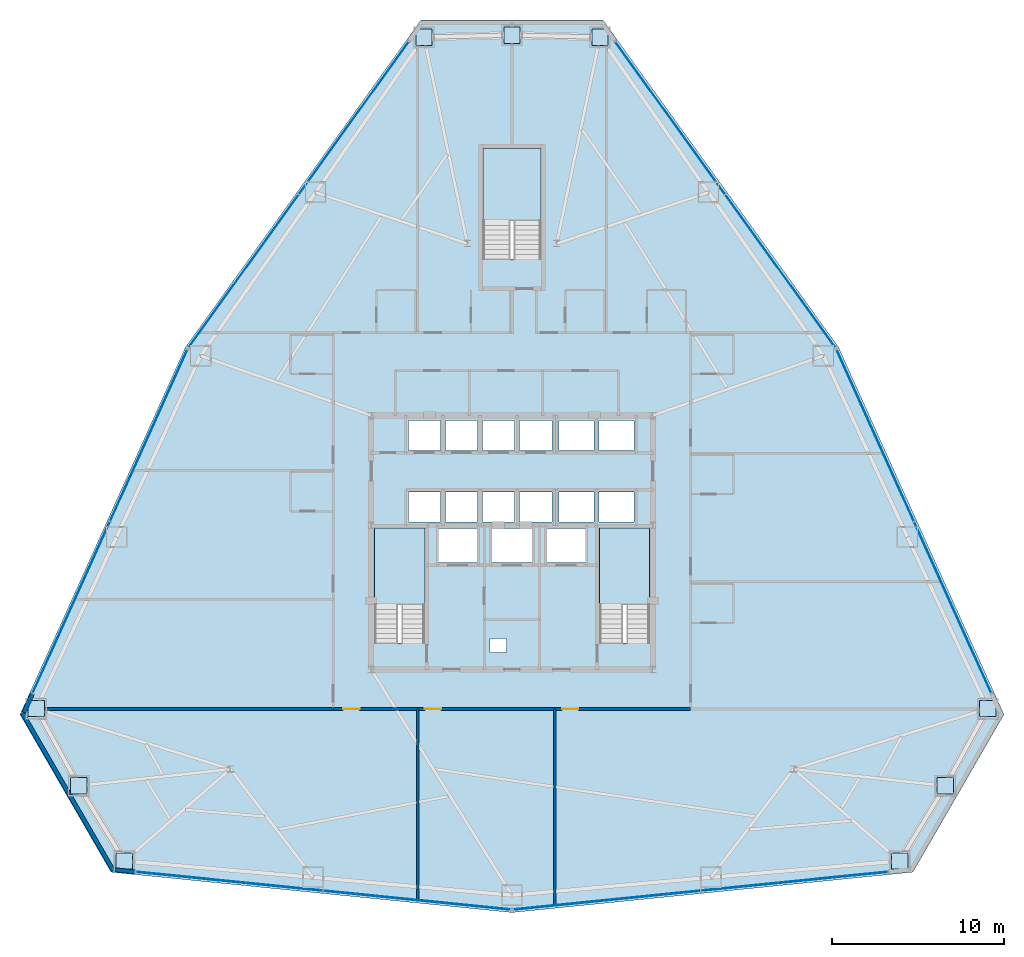
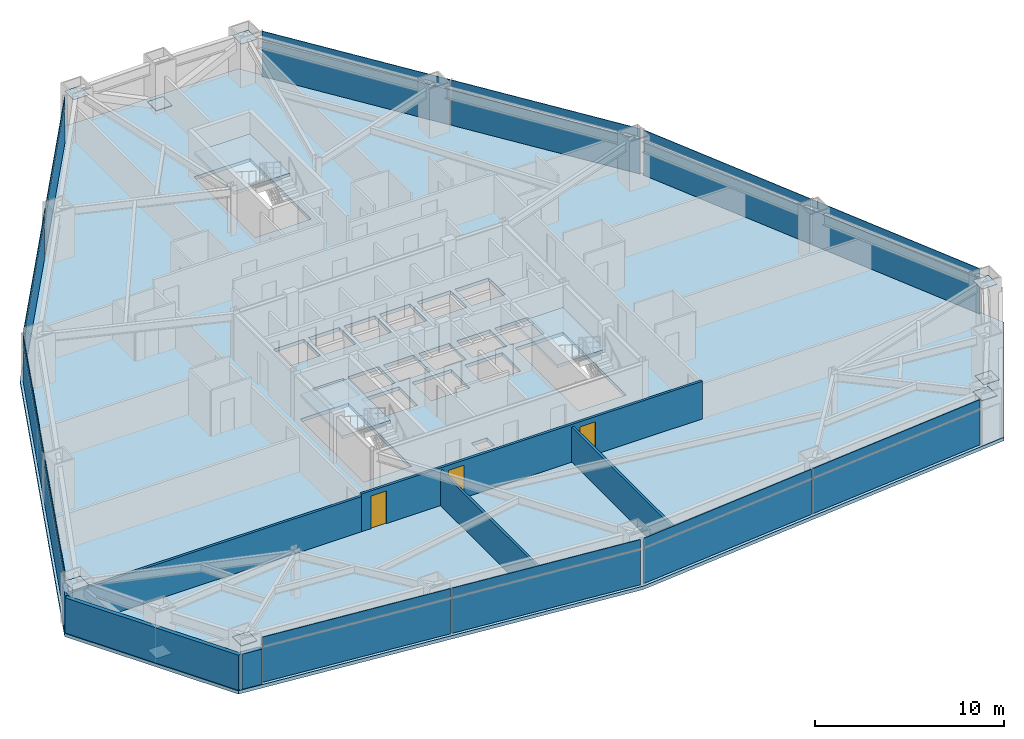
# One storey, part 8 of 12: 33 plates, 7 walls, 4 slabs, 3 doors, 3 openings, 9 elements without a shape of their own.
"""IFC4 building model written with IfcOpenShell, lengths in metres."""

from ifc_helpers import new_model, si_unit, direction, frame, frame_2d, origin, origin_2d, place, context, subcontext, project, spatial, polyline, rectangle, outline, extrude, source, transform, mapped, material, layer, layer_set, type_object, type_shapes, element, fill, aggregate, save


model = new_model("IFC4")

# Units and contexts
model_context = context("Model", 3, precision=1e-05, world=origin(), true_north=direction((0.0, 1.0)))
body_context = subcontext(model_context, "Body", "Model", "MODEL_VIEW")
ifc_project = project(units=[si_unit("LENGTHUNIT", "METRE"), si_unit("AREAUNIT", "SQUARE_METRE"), si_unit("VOLUMEUNIT", "CUBIC_METRE"), si_unit("PLANEANGLEUNIT", "RADIAN"), si_unit("MASSUNIT", "GRAM", prefix="KILO")], contexts=[model_context])

# Site, building, storey
site_placement = place(None, origin())
site = spatial("IfcSite", under=ifc_project, at=site_placement, CompositionType="ELEMENT")
building_placement = place(site_placement, origin())
building = spatial("IfcBuilding", under=site, at=building_placement, Name="Varakhsha Concourse Tower", CompositionType="ELEMENT")
storey_placement = place(building_placement, frame((0.0, 0.0, 30.39990234375)))
storey = spatial("IfcBuildingStorey", under=building, at=storey_placement, Name="L07", CompositionType="ELEMENT", Elevation=30.39990234375)

# Slab
ifc_material_1 = material(Name="Concrete fc 45 MPa", Category="concrete")
ifc_layer_1 = layer(ifc_material_1, 0.219970703125, Name="SL-FLR-220")
ifc_layer_set_1 = layer_set([ifc_layer_1], Name="Concrete fc 45 MPa")
slab_type_1 = type_object("IfcSlabType", Name="SL-FLR-220", PredefinedType="FLOOR", material=ifc_layer_set_1)
slab_1_placement = place(storey_placement, frame((0.0, 0.0, -0.219970703125)))
element("IfcSlab", 1, at=slab_1_placement, inside=storey, type_object=slab_type_1, Name="L07 Composite Structural Slab", PredefinedType="FLOOR", context=body_context, shape_type="SweptSolid", body=[
    extrude(outline(polyline([(45.300048828125, 54.22021484375), (34.699951171875, 54.22021484375), (20.989013671875, 35.176025390625), (11.351806640625, 13.77978515625), (16.65185546875, 4.60009765625), (40.0, 2.248046875), (63.34814453125, 4.60009765625), (68.648193359375, 13.77978515625), (59.010986328125, 35.176025390625), (45.300048828125, 54.22021484375)]), holes=[polyline([(34.919921875, 17.93994140625), (34.919921875, 24.6298828125), (32.0, 24.6298828125), (32.0, 17.93994140625), (34.919921875, 17.93994140625)]), polyline([(48.02001953125, 17.93994140625), (48.02001953125, 24.6298828125), (45.10009765625, 24.6298828125), (45.10009765625, 17.93994140625), (48.02001953125, 17.93994140625)]), polyline([(41.699951171875, 40.300048828125), (41.699951171875, 46.75), (38.300048828125, 46.75), (38.300048828125, 40.300048828125), (41.699951171875, 40.300048828125)]), polyline([(33.9599609375, 29.159912109375), (35.840087890625, 29.159912109375), (35.840087890625, 30.89990234375), (33.9599609375, 30.89990234375), (33.9599609375, 29.159912109375)]), polyline([(36.1201171875, 29.159912109375), (38.0, 29.159912109375), (38.0, 30.89990234375), (36.1201171875, 30.89990234375), (36.1201171875, 29.159912109375)]), polyline([(38.280029296875, 29.159912109375), (40.159912109375, 29.159912109375), (40.159912109375, 30.89990234375), (38.280029296875, 30.89990234375), (38.280029296875, 29.159912109375)]), polyline([(40.43994140625, 29.159912109375), (42.320068359375, 29.159912109375), (42.320068359375, 30.89990234375), (40.43994140625, 30.89990234375), (40.43994140625, 29.159912109375)]), polyline([(33.9599609375, 25.0), (35.840087890625, 25.0), (35.840087890625, 26.739990234375), (33.9599609375, 26.739990234375), (33.9599609375, 25.0)]), polyline([(36.1201171875, 25.0), (38.0, 25.0), (38.0, 26.739990234375), (36.1201171875, 26.739990234375), (36.1201171875, 25.0)]), polyline([(38.280029296875, 25.0), (40.159912109375, 25.0), (40.159912109375, 26.739990234375), (38.280029296875, 26.739990234375), (38.280029296875, 25.0)]), polyline([(40.43994140625, 25.0), (42.320068359375, 25.0), (42.320068359375, 26.739990234375), (40.43994140625, 26.739990234375), (40.43994140625, 25.0)]), polyline([(42.739990234375, 29.159912109375), (44.780029296875, 29.159912109375), (44.780029296875, 30.89990234375), (42.739990234375, 30.89990234375), (42.739990234375, 29.159912109375)]), polyline([(45.06005859375, 29.159912109375), (47.10009765625, 29.159912109375), (47.10009765625, 30.89990234375), (45.06005859375, 30.89990234375), (45.06005859375, 29.159912109375)]), polyline([(42.739990234375, 25.0), (44.780029296875, 25.0), (44.780029296875, 26.739990234375), (42.739990234375, 26.739990234375), (42.739990234375, 25.0)]), polyline([(45.06005859375, 25.0), (47.10009765625, 25.0), (47.10009765625, 26.739990234375), (45.06005859375, 26.739990234375), (45.06005859375, 25.0)]), polyline([(35.7099609375, 22.639892578125), (37.989990234375, 22.639892578125), (37.989990234375, 24.60009765625), (35.7099609375, 24.60009765625), (35.7099609375, 22.639892578125)]), polyline([(42.010009765625, 22.639892578125), (44.2900390625, 22.639892578125), (44.2900390625, 24.60009765625), (42.010009765625, 24.60009765625), (42.010009765625, 22.639892578125)]), polyline([(38.81005859375, 22.639892578125), (41.18994140625, 22.639892578125), (41.18994140625, 24.60009765625), (38.81005859375, 24.60009765625), (38.81005859375, 22.639892578125)]), polyline([(38.719970703125, 17.39990234375), (39.679931640625, 17.39990234375), (39.679931640625, 18.199951171875), (38.719970703125, 18.199951171875), (38.719970703125, 17.39990234375)])]), origin(), (0.0, 0.0, 1.0), 0.219970703125),
])

# Stair, slab
stair_type_1 = type_object("IfcStairType", Name="ST-DOGLEG-1360", PredefinedType="HALF_TURN_STAIR", material=ifc_material_1)
stair_1_placement = place(storey_placement, origin())
stair_1 = element("IfcStair", 2, at=stair_1_placement, inside=storey, type_object=stair_type_1, Name="L07 Protected Exit Stair ST1", PredefinedType="HALF_TURN_STAIR")
ifc_layer_2 = layer(ifc_material_1, 0.199951171875, Name="SL-LAND-200")
ifc_layer_set_2 = layer_set([ifc_layer_2], Name="Concrete fc 45 MPa")
slab_type_2 = type_object("IfcSlabType", Name="SL-LAND-200", PredefinedType="LANDING", material=ifc_layer_set_2)
slab_2_placement = place(storey_placement, frame((0.0, 0.0, 1.400146484375)))
slab_2 = element("IfcSlab", 3, at=slab_2_placement, type_object=slab_type_2, Name="ST1 landing 1", PredefinedType="LANDING", context=body_context, shape_type="SweptSolid", body=[
    extrude(outline(polyline([(34.919921875, 20.179931640625), (34.919921875, 24.6298828125), (32.0, 24.6298828125), (32.0, 20.179931640625), (34.919921875, 20.179931640625)])), origin(), (0.0, 0.0, 1.0), 0.199951171875),
])
aggregate(stair_1, [slab_2])

stair_2_placement = place(storey_placement, origin())
stair_2 = element("IfcStair", 4, at=stair_2_placement, inside=storey, type_object=stair_type_1, Name="L07 Protected Exit Stair ST2", PredefinedType="HALF_TURN_STAIR")
slab_3_placement = place(storey_placement, frame((0.0, 0.0, 1.400146484375)))
slab_3 = element("IfcSlab", 5, at=slab_3_placement, type_object=slab_type_2, Name="ST2 landing 1", PredefinedType="LANDING", context=body_context, shape_type="SweptSolid", body=[
    extrude(outline(polyline([(48.02001953125, 20.179931640625), (48.02001953125, 24.6298828125), (45.10009765625, 24.6298828125), (45.10009765625, 20.179931640625), (48.02001953125, 20.179931640625)])), origin(), (0.0, 0.0, 1.0), 0.199951171875),
])
aggregate(stair_2, [slab_3])

stair_type_2 = type_object("IfcStairType", Name="ST-DOGLEG-1600", PredefinedType="HALF_TURN_STAIR", material=ifc_material_1)
stair_3_placement = place(storey_placement, origin())
stair_3 = element("IfcStair", 6, at=stair_3_placement, inside=storey, type_object=stair_type_2, Name="L07 Protected Exit Stair ST5", PredefinedType="HALF_TURN_STAIR")
slab_4_placement = place(storey_placement, frame((0.0, 0.0, 1.400146484375)))
slab_4 = element("IfcSlab", 7, at=slab_4_placement, type_object=slab_type_2, Name="ST5 landing 1", PredefinedType="LANDING", context=body_context, shape_type="SweptSolid", body=[
    extrude(outline(polyline([(41.699951171875, 42.5400390625), (41.699951171875, 46.75), (38.300048828125, 46.75), (38.300048828125, 42.5400390625), (41.699951171875, 42.5400390625)])), origin(), (0.0, 0.0, 1.0), 0.199951171875),
])
aggregate(stair_3, [slab_4])

# Plates
ifc_material_2 = material(Name="Structural Steel ASTM A572 Grade 50", Category="steel")
ifc_layer_3 = layer(ifc_material_2, 0.030029296875, Name="PL-ENDCAP-950")
ifc_layer_set_3 = layer_set([ifc_layer_3], Name="Structural Steel ASTM A572 Grade 50")
plate_type_1 = type_object("IfcPlateType", Name="PL-ENDCAP-950", PredefinedType="USERDEFINED", material=ifc_layer_set_3)
shared_shape_1 = source(origin(), body_context, "Body", "SweptSolid", [
    extrude(rectangle(XDim=0.949951171875, YDim=0.949951171875, at=origin_2d()), origin(), (0.0, 0.0, 1.0), 0.030029296875),
])
type_shapes(plate_type_1, [shared_shape_1])
for number, where, z_axis, x_axis, name in (
    (8, (40.0, 53.340087890625, 0.10498046875), (0.0, 0.0, 1.0), (1.0, 0.0, 0.0), "Hollow Section End Cap GP-NODE-L07-0022"),
    (9, (45.1240234375, 53.223388671875, 2.6650390625), (0.0, 0.0, 1.0), (1.0, 0.0, 0.0), "Hollow Section End Cap GP-NODE-L07-0023"),
    (10, (34.8759765625, 53.223388671875, 2.6650390625), (0.0, 0.0, 1.0), (1.0, 0.0, 0.0), "Hollow Section End Cap GP-NODE-L07-0024"),
    (11, (14.763916015625, 9.6298828125, 0.10498046875), (0.0, 0.0, 1.0), (1.0, 0.0, 0.0), "Hollow Section End Cap GP-NODE-L07-0025"),
    (12, (12.302734375, 14.125732421875, 2.6650390625), (0.0, 0.0, 1.0), (1.0, 0.0, 0.0), "Hollow Section End Cap GP-NODE-L07-0026"),
    (13, (17.427001953125, 5.250732421875, 2.6650390625), (0.0, 0.0, 1.0), (1.0, 0.0, 0.0), "Hollow Section End Cap GP-NODE-L07-0027"),
    (14, (65.236083984375, 9.6298828125, 0.10498046875), (0.0, 0.0, 1.0), (1.0, 0.0, 0.0), "Hollow Section End Cap GP-NODE-L07-0028"),
    (15, (62.572998046875, 5.250732421875, 2.6650390625), (0.0, 0.0, 1.0), (1.0, 0.0, 0.0), "Hollow Section End Cap GP-NODE-L07-0029"),
    (16, (67.697265625, 14.125732421875, 2.6650390625), (0.0, 0.0, 1.0), (1.0, 0.0, 0.0), "Hollow Section End Cap GP-NODE-L07-0030"),
):
    element("IfcPlate", number, at=place(storey_placement, frame(where, z_axis=z_axis, x_axis=x_axis)), inside=storey, type_object=plate_type_1, Name=name, ObjectType="END PLATE", PredefinedType="USERDEFINED", context=body_context, shape_type="MappedRepresentation", body=[
        mapped(shared_shape_1, transform((0.0, 0.0, 0.0), scale=1.0)),
    ])

# Curtain wall, plates
ifc_material_3 = material(Name="Anodised Bronze Architectural Aluminium AA 6063-T6", Category="aluminium")
ifc_layer_4 = layer(ifc_material_3, 0.219970703125, Name="CW-SYS-02")
ifc_layer_set_4 = layer_set([ifc_layer_4], Name="Anodised Bronze Architectural Aluminium AA 6063-T6")
curtain_wall_type = type_object("IfcCurtainWallType", Name="CW-SYS-02", PredefinedType="NOTDEFINED", material=ifc_layer_set_4)
curtain_wall_1_placement = place(storey_placement, origin())
curtain_wall_1 = element("IfcCurtainWall", 17, at=curtain_wall_1_placement, inside=storey, type_object=curtain_wall_type, Name="L07 Crystal Curtain Wall F2", PredefinedType="NOTDEFINED")
ifc_material_4 = material(Name="Low-E Triple Insulating Glass IGU 44 mm", Category="glass")
ifc_layer_5 = layer(ifc_material_4, 0.0439453125, Name="CWP-IGU-44")
ifc_layer_set_5 = layer_set([ifc_layer_5], Name="Low-E Triple Insulating Glass IGU 44 mm")
plate_type_2 = type_object("IfcPlateType", Name="CWP-IGU-44", PredefinedType="CURTAIN_PANEL", material=ifc_layer_set_5)
shared_shape_2 = source(origin(), body_context, "Body", "SweptSolid", [
    extrude(rectangle(XDim=10.904296875, YDim=0.0439453125, at=origin_2d()), origin(), (0.0, 0.0, 1.0), 2.260986328125),
])
plate_1_placement = place(storey_placement, frame((24.374267578125, 39.60400390625, 0.03466796875), z_axis=(0.0, 0.0, 1.0), x_axis=(0.584283660256, 0.81154950826, 0.0)))
plate_1 = element("IfcPlate", 18, at=plate_1_placement, type_object=plate_type_2, Name="CW-L07-F2 Panel 00-00", PredefinedType="CURTAIN_PANEL", context=body_context, shape_type="MappedRepresentation", body=[
    mapped(shared_shape_2, transform((0.0, 0.0, 0.0), scale=1.0)),
])
plate_2_placement = place(storey_placement, frame((30.79150390625, 48.517578125, 0.03466796875), z_axis=(0.0, 0.0, 1.0), x_axis=(0.584283660256, 0.81154950826, 0.0)))
plate_2 = element("IfcPlate", 19, at=plate_2_placement, type_object=plate_type_2, Name="CW-L07-F2 Panel 01-00", PredefinedType="CURTAIN_PANEL", context=body_context, shape_type="MappedRepresentation", body=[
    mapped(shared_shape_2, transform((0.0, 0.0, 0.0), scale=1.0)),
])

# Curtain wall, plate
curtain_wall_2_placement = place(storey_placement, origin())
curtain_wall_2 = element("IfcCurtainWall", 20, at=curtain_wall_2_placement, inside=storey, type_object=curtain_wall_type, Name="L07 Crystal Curtain Wall F3", PredefinedType="NOTDEFINED")
plate_3_placement = place(storey_placement, frame((14.336181640625, 20.01611328125, 0.03466796875), z_axis=(0.0, 0.0, 1.0), x_axis=(0.410683843161, 0.911777813377, 0.0)))
plate_3 = element("IfcPlate", 21, at=plate_3_placement, type_object=plate_type_2, Name="CW-L07-F3 Panel 00-00", PredefinedType="CURTAIN_PANEL", context=body_context, shape_type="MappedRepresentation", body=[
    mapped(shared_shape_2, transform((0.0, 0.0, 0.0), scale=1.0)),
])

curtain_wall_3_placement = place(storey_placement, origin())
curtain_wall_3 = element("IfcCurtainWall", 22, at=curtain_wall_3_placement, inside=storey, type_object=curtain_wall_type, Name="L07 Crystal Curtain Wall F5", PredefinedType="NOTDEFINED")
plate_4_placement = place(storey_placement, frame((34.472412109375, 2.965576171875, 0.03466796875), z_axis=(0.0, 0.0, 1.0), x_axis=(-0.994964670572, 0.100226265587, 0.0)))
plate_4 = element("IfcPlate", 23, at=plate_4_placement, type_object=plate_type_2, Name="CW-L07-F5 Panel 00-00", PredefinedType="CURTAIN_PANEL", context=body_context, shape_type="MappedRepresentation", body=[
    mapped(shared_shape_2, transform((0.0, 0.0, 0.0), scale=1.0)),
])

curtain_wall_4_placement = place(storey_placement, origin())
curtain_wall_4 = element("IfcCurtainWall", 24, at=curtain_wall_4_placement, inside=storey, type_object=curtain_wall_type, Name="L07 Crystal Curtain Wall F6", PredefinedType="NOTDEFINED")
plate_5_placement = place(storey_placement, frame((56.455322265625, 4.06640625, 0.03466796875), z_axis=(0.0, 0.0, 1.0), x_axis=(-0.994964670572, -0.100226265587, 0.0)))
plate_5 = element("IfcPlate", 25, at=plate_5_placement, type_object=plate_type_2, Name="CW-L07-F6 Panel 00-00", PredefinedType="CURTAIN_PANEL", context=body_context, shape_type="MappedRepresentation", body=[
    mapped(shared_shape_2, transform((0.0, 0.0, 0.0), scale=1.0)),
])

curtain_wall_5_placement = place(storey_placement, origin())
curtain_wall_5 = element("IfcCurtainWall", 26, at=curtain_wall_5_placement, inside=storey, type_object=curtain_wall_type, Name="L07 Crystal Curtain Wall F8", PredefinedType="NOTDEFINED")
plate_6_placement = place(storey_placement, frame((61.1533203125, 30.0302734375, 0.03466796875), z_axis=(0.0, 0.0, 1.0), x_axis=(0.410683843161, -0.911777813377, 0.0)))
plate_6 = element("IfcPlate", 27, at=plate_6_placement, type_object=plate_type_2, Name="CW-L07-F8 Panel 00-00", PredefinedType="CURTAIN_PANEL", context=body_context, shape_type="MappedRepresentation", body=[
    mapped(shared_shape_2, transform((0.0, 0.0, 0.0), scale=1.0)),
])

# Curtain wall, plates
curtain_wall_6_placement = place(storey_placement, origin())
curtain_wall_6 = element("IfcCurtainWall", 28, at=curtain_wall_6_placement, inside=storey, type_object=curtain_wall_type, Name="L07 Crystal Curtain Wall F9", PredefinedType="NOTDEFINED")
plate_7_placement = place(storey_placement, frame((49.20849609375, 48.517578125, 0.03466796875), z_axis=(0.0, 0.0, 1.0), x_axis=(0.584283660256, -0.81154950826, 0.0)))
plate_7 = element("IfcPlate", 29, at=plate_7_placement, type_object=plate_type_2, Name="CW-L07-F9 Panel 00-00", PredefinedType="CURTAIN_PANEL", context=body_context, shape_type="MappedRepresentation", body=[
    mapped(shared_shape_2, transform((0.0, 0.0, 0.0), scale=1.0)),
])
plate_8_placement = place(storey_placement, frame((55.625732421875, 39.60400390625, 0.03466796875), z_axis=(0.0, 0.0, 1.0), x_axis=(0.584283660256, -0.81154950826, 0.0)))
plate_8 = element("IfcPlate", 30, at=plate_8_placement, type_object=plate_type_2, Name="CW-L07-F9 Panel 01-00", PredefinedType="CURTAIN_PANEL", context=body_context, shape_type="MappedRepresentation", body=[
    mapped(shared_shape_2, transform((0.0, 0.0, 0.0), scale=1.0)),
])

# Plate
ifc_material_5 = material(Name="Glazed Turquoise-Bronze Ceramic Spandrel Panel 38 mm", Category="ceramic")
ifc_layer_6 = layer(ifc_material_5, 0.0380859375, Name="CWP-SPN-38")
ifc_layer_set_6 = layer_set([ifc_layer_6], Name="Glazed Turquoise-Bronze Ceramic Spandrel Panel 38 mm")
plate_type_3 = type_object("IfcPlateType", Name="CWP-SPN-38", PredefinedType="USERDEFINED", material=ifc_layer_set_6)
shared_shape_3 = source(origin(), body_context, "Body", "SweptSolid", [
    extrude(rectangle(XDim=10.904296875, YDim=0.0380859375, at=origin_2d()), origin(), (0.0, 0.0, 1.0), 0.5810546875),
])
plate_9_placement = place(storey_placement, frame((24.374267578125, 39.60400390625, 2.364501953125), z_axis=(0.0, 0.0, 1.0), x_axis=(0.584283660256, 0.81154950826, 0.0)))
plate_9 = element("IfcPlate", 31, at=plate_9_placement, type_object=plate_type_3, Name="CW-L07-F2 Panel 00-01", ObjectType="SPANDREL", PredefinedType="USERDEFINED", context=body_context, shape_type="MappedRepresentation", body=[
    mapped(shared_shape_3, transform((0.0, 0.0, 0.0), scale=1.0)),
])

plate_10_placement = place(storey_placement, frame((30.79150390625, 48.517578125, 2.364501953125), z_axis=(0.0, 0.0, 1.0), x_axis=(0.584283660256, 0.81154950826, 0.0)))
plate_10 = element("IfcPlate", 32, at=plate_10_placement, type_object=plate_type_3, Name="CW-L07-F2 Panel 01-01", ObjectType="SPANDREL", PredefinedType="USERDEFINED", context=body_context, shape_type="MappedRepresentation", body=[
    mapped(shared_shape_3, transform((0.0, 0.0, 0.0), scale=1.0)),
])

aggregate(curtain_wall_1, [plate_1, plate_9, plate_2, plate_10])

plate_11_placement = place(storey_placement, frame((14.336181640625, 20.01611328125, 2.364501953125), z_axis=(0.0, 0.0, 1.0), x_axis=(0.410683843161, 0.911777813377, 0.0)))
plate_11 = element("IfcPlate", 33, at=plate_11_placement, type_object=plate_type_3, Name="CW-L07-F3 Panel 00-01", ObjectType="SPANDREL", PredefinedType="USERDEFINED", context=body_context, shape_type="MappedRepresentation", body=[
    mapped(shared_shape_3, transform((0.0, 0.0, 0.0), scale=1.0)),
])

plate_12_placement = place(storey_placement, frame((34.472412109375, 2.965576171875, 2.364501953125), z_axis=(0.0, 0.0, 1.0), x_axis=(-0.994964670572, 0.100226265587, 0.0)))
plate_12 = element("IfcPlate", 34, at=plate_12_placement, type_object=plate_type_3, Name="CW-L07-F5 Panel 00-01", ObjectType="SPANDREL", PredefinedType="USERDEFINED", context=body_context, shape_type="MappedRepresentation", body=[
    mapped(shared_shape_3, transform((0.0, 0.0, 0.0), scale=1.0)),
])

plate_13_placement = place(storey_placement, frame((56.455322265625, 4.06640625, 2.364501953125), z_axis=(0.0, 0.0, 1.0), x_axis=(-0.994964670572, -0.100226265587, 0.0)))
plate_13 = element("IfcPlate", 35, at=plate_13_placement, type_object=plate_type_3, Name="CW-L07-F6 Panel 00-01", ObjectType="SPANDREL", PredefinedType="USERDEFINED", context=body_context, shape_type="MappedRepresentation", body=[
    mapped(shared_shape_3, transform((0.0, 0.0, 0.0), scale=1.0)),
])

plate_14_placement = place(storey_placement, frame((61.1533203125, 30.0302734375, 2.364501953125), z_axis=(0.0, 0.0, 1.0), x_axis=(0.410683843161, -0.911777813377, 0.0)))
plate_14 = element("IfcPlate", 36, at=plate_14_placement, type_object=plate_type_3, Name="CW-L07-F8 Panel 00-01", ObjectType="SPANDREL", PredefinedType="USERDEFINED", context=body_context, shape_type="MappedRepresentation", body=[
    mapped(shared_shape_3, transform((0.0, 0.0, 0.0), scale=1.0)),
])

plate_15_placement = place(storey_placement, frame((49.20849609375, 48.517578125, 2.364501953125), z_axis=(0.0, 0.0, 1.0), x_axis=(0.584283660256, -0.81154950826, 0.0)))
plate_15 = element("IfcPlate", 37, at=plate_15_placement, type_object=plate_type_3, Name="CW-L07-F9 Panel 00-01", ObjectType="SPANDREL", PredefinedType="USERDEFINED", context=body_context, shape_type="MappedRepresentation", body=[
    mapped(shared_shape_3, transform((0.0, 0.0, 0.0), scale=1.0)),
])

plate_16_placement = place(storey_placement, frame((55.625732421875, 39.60400390625, 2.364501953125), z_axis=(0.0, 0.0, 1.0), x_axis=(0.584283660256, -0.81154950826, 0.0)))
plate_16 = element("IfcPlate", 38, at=plate_16_placement, type_object=plate_type_3, Name="CW-L07-F9 Panel 01-01", ObjectType="SPANDREL", PredefinedType="USERDEFINED", context=body_context, shape_type="MappedRepresentation", body=[
    mapped(shared_shape_3, transform((0.0, 0.0, 0.0), scale=1.0)),
])

aggregate(curtain_wall_6, [plate_7, plate_15, plate_8, plate_16])

shared_shape_4 = source(origin(), body_context, "Body", "SweptSolid", [
    extrude(rectangle(XDim=10.904052734375, YDim=0.0439453125, at=origin_2d()), origin(), (0.0, 0.0, 1.0), 2.260986328125),
])
type_shapes(plate_type_2, [shared_shape_2, shared_shape_4])
plate_17_placement = place(storey_placement, frame((18.8466796875, 30.0302734375, 0.03466796875), z_axis=(0.0, 0.0, 1.0), x_axis=(0.410683843161, 0.911777813377, 0.0)))
plate_17 = element("IfcPlate", 39, at=plate_17_placement, type_object=plate_type_2, Name="CW-L07-F3 Panel 01-00", PredefinedType="CURTAIN_PANEL", context=body_context, shape_type="MappedRepresentation", body=[
    mapped(shared_shape_4, transform((0.0, 0.0, 0.0), scale=1.0)),
])

plate_18_placement = place(storey_placement, frame((23.544677734375, 4.06640625, 0.03466796875), z_axis=(0.0, 0.0, 1.0), x_axis=(-0.994964670572, 0.100226265587, 0.0)))
plate_18 = element("IfcPlate", 40, at=plate_18_placement, type_object=plate_type_2, Name="CW-L07-F5 Panel 01-00", PredefinedType="CURTAIN_PANEL", context=body_context, shape_type="MappedRepresentation", body=[
    mapped(shared_shape_4, transform((0.0, 0.0, 0.0), scale=1.0)),
])

plate_19_placement = place(storey_placement, frame((45.527587890625, 2.965576171875, 0.03466796875), z_axis=(0.0, 0.0, 1.0), x_axis=(-0.994964670572, -0.100226265587, 0.0)))
plate_19 = element("IfcPlate", 41, at=plate_19_placement, type_object=plate_type_2, Name="CW-L07-F6 Panel 01-00", PredefinedType="CURTAIN_PANEL", context=body_context, shape_type="MappedRepresentation", body=[
    mapped(shared_shape_4, transform((0.0, 0.0, 0.0), scale=1.0)),
])

plate_20_placement = place(storey_placement, frame((65.663818359375, 20.01611328125, 0.03466796875), z_axis=(0.0, 0.0, 1.0), x_axis=(0.410683843161, -0.911777813377, 0.0)))
plate_20 = element("IfcPlate", 42, at=plate_20_placement, type_object=plate_type_2, Name="CW-L07-F8 Panel 01-00", PredefinedType="CURTAIN_PANEL", context=body_context, shape_type="MappedRepresentation", body=[
    mapped(shared_shape_4, transform((0.0, 0.0, 0.0), scale=1.0)),
])

shared_shape_5 = source(origin(), body_context, "Body", "SweptSolid", [
    extrude(rectangle(XDim=10.904052734375, YDim=0.0380859375, at=origin_2d()), origin(), (0.0, 0.0, 1.0), 0.5810546875),
])
type_shapes(plate_type_3, [shared_shape_3, shared_shape_5])
plate_21_placement = place(storey_placement, frame((18.8466796875, 30.0302734375, 2.364501953125), z_axis=(0.0, 0.0, 1.0), x_axis=(0.410683843161, 0.911777813377, 0.0)))
plate_21 = element("IfcPlate", 43, at=plate_21_placement, type_object=plate_type_3, Name="CW-L07-F3 Panel 01-01", ObjectType="SPANDREL", PredefinedType="USERDEFINED", context=body_context, shape_type="MappedRepresentation", body=[
    mapped(shared_shape_5, transform((0.0, 0.0, 0.0), scale=1.0)),
])

aggregate(curtain_wall_2, [plate_3, plate_11, plate_17, plate_21])

plate_22_placement = place(storey_placement, frame((23.544677734375, 4.06640625, 2.364501953125), z_axis=(0.0, 0.0, 1.0), x_axis=(-0.994964670572, 0.100226265587, 0.0)))
plate_22 = element("IfcPlate", 44, at=plate_22_placement, type_object=plate_type_3, Name="CW-L07-F5 Panel 01-01", ObjectType="SPANDREL", PredefinedType="USERDEFINED", context=body_context, shape_type="MappedRepresentation", body=[
    mapped(shared_shape_5, transform((0.0, 0.0, 0.0), scale=1.0)),
])

aggregate(curtain_wall_3, [plate_4, plate_12, plate_18, plate_22])

plate_23_placement = place(storey_placement, frame((45.527587890625, 2.965576171875, 2.364501953125), z_axis=(0.0, 0.0, 1.0), x_axis=(-0.994964670572, -0.100226265587, 0.0)))
plate_23 = element("IfcPlate", 45, at=plate_23_placement, type_object=plate_type_3, Name="CW-L07-F6 Panel 01-01", ObjectType="SPANDREL", PredefinedType="USERDEFINED", context=body_context, shape_type="MappedRepresentation", body=[
    mapped(shared_shape_5, transform((0.0, 0.0, 0.0), scale=1.0)),
])

aggregate(curtain_wall_4, [plate_5, plate_13, plate_19, plate_23])

plate_24_placement = place(storey_placement, frame((65.663818359375, 20.01611328125, 2.364501953125), z_axis=(0.0, 0.0, 1.0), x_axis=(0.410683843161, -0.911777813377, 0.0)))
plate_24 = element("IfcPlate", 46, at=plate_24_placement, type_object=plate_type_3, Name="CW-L07-F8 Panel 01-01", ObjectType="SPANDREL", PredefinedType="USERDEFINED", context=body_context, shape_type="MappedRepresentation", body=[
    mapped(shared_shape_5, transform((0.0, 0.0, 0.0), scale=1.0)),
])

aggregate(curtain_wall_5, [plate_6, plate_14, plate_20, plate_24])

# Walls
ifc_layer_7 = layer(ifc_material_1, 0.239990234375, Name="WL-EXT-CRN-240")
ifc_layer_set_7 = layer_set([ifc_layer_7], Name="Concrete fc 45 MPa")
wall_type_1 = type_object("IfcWallType", Name="WL-EXT-CRN-240", PredefinedType="SHEAR", material=ifc_layer_set_7)
wall_1_placement = place(storey_placement, frame((12.0654296875, 14.974609375, 0.0), z_axis=(0.0, 0.0, 1.0), x_axis=(-0.410810004845, -0.91172097701, 0.0)))
element("IfcWall", 47, at=wall_1_placement, inside=storey, type_object=wall_type_1, Name="L07 Wind-Corner Shoulder Wall F3", PredefinedType="SHEAR", context=body_context, shape_type="SweptSolid", body=[
    extrude(rectangle(XDim=1.162353515625, YDim=0.239990234375, at=frame_2d((0.5810546875, 0.0))), origin(), (0.0, 0.0, 1.0), 2.26318359375),
])
wall_2_placement = place(storey_placement, frame((16.790283203125, 4.679931640625, 0.0), z_axis=(0.0, 0.0, 1.0), x_axis=(-0.49998363312, 0.866034853001, 0.0)))
element("IfcWall", 48, at=wall_2_placement, inside=storey, type_object=wall_type_1, Name="L07 Chamfer Wind-Corner Insulated Wall F4", PredefinedType="SHEAR", context=body_context, shape_type="SweptSolid", body=[
    extrude(rectangle(XDim=10.599853515625, YDim=0.239990234375, at=frame_2d((5.2998046875, 0.0))), origin(), (0.0, 0.0, 1.0), 2.26318359375),
])
wall_3_placement = place(storey_placement, frame((16.88671875, 4.737060546875, 0.0), z_axis=(0.0, 0.0, 1.0), x_axis=(0.994970433754, -0.100169036914, 0.0)))
element("IfcWall", 49, at=wall_3_placement, inside=storey, type_object=wall_type_1, Name="L07 Wind-Corner Shoulder Wall F5", PredefinedType="SHEAR", context=body_context, shape_type="SweptSolid", body=[
    extrude(rectangle(XDim=1.16259765625, YDim=0.239990234375, at=frame_2d((0.581298828125, 0.0))), origin(), (0.0, 0.0, 1.0), 2.26318359375),
])

# Wall, openings, doors
ifc_material_6 = material(Name="Fire-Rated Type X Gypsum Partition Assembly", Category="gypsum")
ifc_layer_8 = layer(ifc_material_6, 0.14990234375, Name="WL-PART-150")
ifc_layer_set_8 = layer_set([ifc_layer_8], Name="Fire-Rated Type X Gypsum Partition Assembly")
wall_type_2 = type_object("IfcWallType", Name="WL-PART-150", PredefinedType="PARTITIONING", material=ifc_layer_set_8)
wall_4_placement = place(storey_placement, frame((29.60009765625, 14.10009765625, 0.0), z_axis=(0.0, 0.0, 1.0), x_axis=(1.0, 0.0, 0.0)))
wall_4 = element("IfcWall", 50, at=wall_4_placement, inside=storey, type_object=wall_type_2, Name="L07 Wall CRW-S-L07", PredefinedType="PARTITIONING", context=body_context, shape_type="SweptSolid", body=[
    extrude(rectangle(XDim=20.7998046875, YDim=0.14990234375, at=frame_2d((10.39990234375, 0.0))), origin(), (0.0, 0.0, 1.0), 2.43115234375),
])
opening_1_placement = place(wall_4_placement, frame((0.570068359375, 0.0, 0.0)))
opening_1 = element("IfcOpeningElement", 51, at=opening_1_placement, cuts=wall_4, Name="Opening DF-05", PredefinedType="OPENING", context=body_context, shape_type="SweptSolid", body=[
    extrude(rectangle(XDim=0.949951171875, YDim=2.10009765625, at=frame_2d((0.47509765625, 1.050048828125))), frame((0.0, 0.0849609375, 0.0), z_axis=(0.0, -1.0, 0.0), x_axis=(1.0, 0.0, 0.0)), (0.0, 0.0, 1.0), 0.169921875),
])
opening_2_placement = place(wall_4_placement, frame((5.320068359375, 0.0, 0.0)))
opening_2 = element("IfcOpeningElement", 52, at=opening_2_placement, cuts=wall_4, Name="Opening DF-05", PredefinedType="OPENING", context=body_context, shape_type="SweptSolid", body=[
    extrude(rectangle(XDim=0.949951171875, YDim=2.10009765625, at=frame_2d((0.47509765625, 1.050048828125))), frame((0.0, 0.0849609375, 0.0), z_axis=(0.0, -1.0, 0.0), x_axis=(1.0, 0.0, 0.0)), (0.0, 0.0, 1.0), 0.169921875),
])
opening_3_placement = place(wall_4_placement, frame((13.320068359375, 0.0, 0.0)))
opening_3 = element("IfcOpeningElement", 53, at=opening_3_placement, cuts=wall_4, Name="Opening DF-05", PredefinedType="OPENING", context=body_context, shape_type="SweptSolid", body=[
    extrude(rectangle(XDim=0.949951171875, YDim=2.10009765625, at=frame_2d((0.47509765625, 1.050048828125))), frame((0.0, 0.0849609375, 0.0), z_axis=(0.0, -1.0, 0.0), x_axis=(1.0, 0.0, 0.0)), (0.0, 0.0, 1.0), 0.169921875),
])
ifc_material_7 = material(Name="Hollow Galvanised Steel Fire Door Assembly", Category="steel")
door_type = type_object("IfcDoorType", Name="DR-FD60-950", OperationType="NOTDEFINED", PredefinedType="DOOR", material=ifc_material_7)
door_1_placement = place(opening_1_placement, origin())
door_1 = element("IfcDoor", 54, at=door_1_placement, inside=storey, type_object=door_type, Name="L07 Hotel Executive Salon L07-H01 Door", OperationType="SINGLE_SWING_LEFT", OverallHeight=2.10009765625, OverallWidth=0.949951171875, PredefinedType="DOOR", context=body_context, shape_type="SweptSolid", body=[
    extrude(rectangle(XDim=0.949951171875, YDim=2.10009765625, at=frame_2d((0.47509765625, 1.050048828125))), frame((0.0, 0.02490234375, 0.0), z_axis=(0.0, -1.0, 0.0), x_axis=(1.0, 0.0, 0.0)), (0.0, 0.0, 1.0), 0.050048828125),
])
fill(opening_1, door_1)
door_2_placement = place(opening_2_placement, origin())
door_2 = element("IfcDoor", 55, at=door_2_placement, inside=storey, type_object=door_type, Name="L07 Hospitality Club Lounge L07-H02 Door", OperationType="SINGLE_SWING_RIGHT", OverallHeight=2.10009765625, OverallWidth=0.949951171875, PredefinedType="DOOR", context=body_context, shape_type="SweptSolid", body=[
    extrude(rectangle(XDim=0.949951171875, YDim=2.10009765625, at=frame_2d((0.47509765625, 1.050048828125))), frame((0.0, 0.02490234375, 0.0), z_axis=(0.0, -1.0, 0.0), x_axis=(1.0, 0.0, 0.0)), (0.0, 0.0, 1.0), 0.050048828125),
])
fill(opening_2, door_2)
door_3_placement = place(opening_3_placement, origin())
door_3 = element("IfcDoor", 56, at=door_3_placement, inside=storey, type_object=door_type, Name="L07 Hotel Executive Salon L07-H03 Door", OperationType="SINGLE_SWING_LEFT", OverallHeight=2.10009765625, OverallWidth=0.949951171875, PredefinedType="DOOR", context=body_context, shape_type="SweptSolid", body=[
    extrude(rectangle(XDim=0.949951171875, YDim=2.10009765625, at=frame_2d((0.47509765625, 1.050048828125))), frame((0.0, 0.02490234375, 0.0), z_axis=(0.0, -1.0, 0.0), x_axis=(1.0, 0.0, 0.0)), (0.0, 0.0, 1.0), 0.050048828125),
])
fill(opening_3, door_3)

# Walls
wall_5_placement = place(storey_placement, frame((34.5, 2.968017578125, 0.0), z_axis=(0.0, 0.0, 1.0), x_axis=(0.0, 1.0, 0.0)))
element("IfcWall", 57, at=wall_5_placement, inside=storey, type_object=wall_type_2, Name="L07 Wall HDIV-S1-L07", PredefinedType="PARTITIONING", context=body_context, shape_type="SweptSolid", body=[
    extrude(rectangle(XDim=11.132080078125, YDim=0.14990234375, at=frame_2d((5.56591796875, 0.0))), origin(), (0.0, 0.0, 1.0), 2.26806640625),
])
wall_6_placement = place(storey_placement, frame((42.5, 2.665771484375, 0.0), z_axis=(0.0, 0.0, 1.0), x_axis=(0.0, 1.0, 0.0)))
element("IfcWall", 58, at=wall_6_placement, inside=storey, type_object=wall_type_2, Name="L07 Wall HDIV-S2-L07", PredefinedType="PARTITIONING", context=body_context, shape_type="SweptSolid", body=[
    extrude(rectangle(XDim=11.434326171875, YDim=0.14990234375, at=frame_2d((5.71728515625, 0.0))), origin(), (0.0, 0.0, 1.0), 2.26806640625),
])
wall_7_placement = place(storey_placement, frame((11.677001953125, 14.10009765625, 0.0), z_axis=(0.0, 0.0, 1.0), x_axis=(1.0, 0.0, 0.0)))
element("IfcWall", 59, at=wall_7_placement, inside=storey, type_object=wall_type_2, Name="L07 Wall HDIV-WB0-L07", PredefinedType="PARTITIONING", context=body_context, shape_type="SweptSolid", body=[
    extrude(rectangle(XDim=17.923095703125, YDim=0.14990234375, at=frame_2d((8.96142578125, 0.0))), origin(), (0.0, 0.0, 1.0), 2.26806640625),
])

save(model, "model.ifc")
